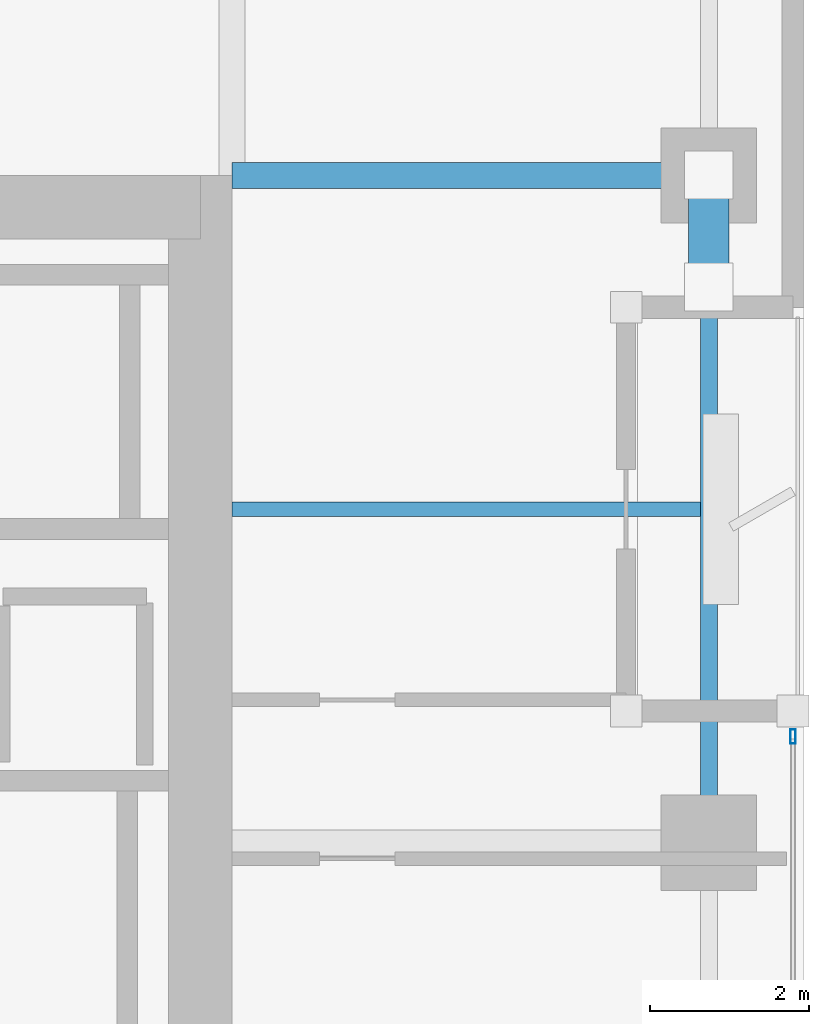
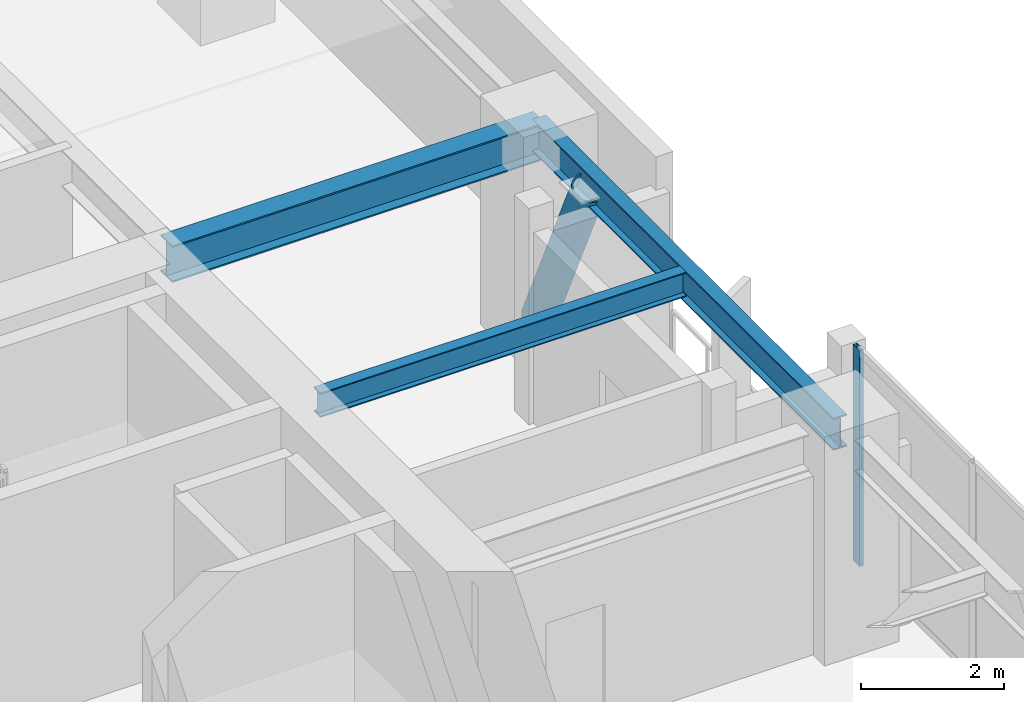
# One storey, part 11 of 30: 3 beams, 2 members, 1 element without a shape of its own.
"""IFC4 building model written with IfcOpenShell, lengths in metres."""

from ifc_helpers import new_model, si_unit, direction, frame, origin, origin_2d, place, context, subcontext, project, spatial, hollow_rectangle, hollow_circle, i_section, extrude, material, layer, layer_set, material_profile, profile_set, type_object, element, aggregate, save


model = new_model("IFC4")

# Units and contexts
model_context = context("Model", 3, precision=1e-05, world=origin(), true_north=direction((0.0, 1.0)))
body_context = subcontext(model_context, "Body", "Model", "MODEL_VIEW")
ifc_project = project(units=[si_unit("LENGTHUNIT", "METRE"), si_unit("AREAUNIT", "SQUARE_METRE"), si_unit("VOLUMEUNIT", "CUBIC_METRE"), si_unit("PLANEANGLEUNIT", "RADIAN"), si_unit("MASSUNIT", "GRAM", prefix="KILO")], contexts=[model_context])

# Site, building, storey
site_placement = place(None, origin())
site = spatial("IfcSite", under=ifc_project, at=site_placement, CompositionType="ELEMENT")
building_placement = place(site_placement, origin())
building = spatial("IfcBuilding", under=site, at=building_placement, Name="Kiyonajd Concourse Tower", CompositionType="ELEMENT")
storey_placement = place(building_placement, frame((0.0, 0.0, 162.300048828125)))
storey = spatial("IfcBuildingStorey", under=building, at=storey_placement, Name="L41", CompositionType="ELEMENT", Elevation=162.300048828125)

# Beams
ifc_material_1 = material(Name="Steel ASTM A992 Grade 50", Category="steel")
ifc_material_profile_1 = material_profile(ifc_material_1, i_section(OverallWidth=0.180908203125, OverallDepth=0.4169921875, WebThickness=0.010986328125, FlangeThickness=0.018310546875, at=origin_2d()), Name="W410X85")
ifc_profile_set_1 = profile_set([ifc_material_profile_1], Name="Steel ASTM A992 Grade 50")
beam_type_1 = type_object("IfcBeamType", Name="BM-JST-410", PredefinedType="JOIST", material=ifc_profile_set_1)
beam_1_placement = place(storey_placement, frame((63.60009765625, 40.199951171875, 3.471435546875), z_axis=(1.0, 0.0, 0.0), x_axis=(0.0, 1.0, 0.0)))
element("IfcBeam", 1, at=beam_1_placement, inside=storey, type_object=beam_type_1, Name="L41 East Secondary Floor Joist", PredefinedType="JOIST", context=body_context, shape_type="SweptSolid", body=[
    extrude(i_section(OverallWidth=0.180908203125, OverallDepth=0.4169921875, WebThickness=0.010986328125, FlangeThickness=0.018310546875, at=origin_2d()), origin(), (0.0, 0.0, 1.0), 5.892822265625),
])
ifc_material_profile_2 = material_profile(ifc_material_1, i_section(OverallWidth=0.214111328125, OverallDepth=0.549072265625, WebThickness=0.0146484375, FlangeThickness=0.023681640625, at=origin_2d()), Name="W530X138")
ifc_profile_set_2 = profile_set([ifc_material_profile_2], Name="Steel ASTM A992 Grade 50")
beam_type_2 = type_object("IfcBeamType", Name="BM-SPAN-530A", PredefinedType="SPANDREL", material=ifc_profile_set_2)
beam_2_placement = place(storey_placement, frame((69.60009765625, 36.0, 3.405517578125), z_axis=(0.0, 1.0, 0.0), x_axis=(-1.0, 0.0, 0.0)))
element("IfcBeam", 2, at=beam_2_placement, inside=storey, type_object=beam_type_2, Name="L41 Perimeter Bundled Tube Spandrel", PredefinedType="SPANDREL", context=body_context, shape_type="SweptSolid", body=[
    extrude(i_section(OverallWidth=0.214111328125, OverallDepth=0.549072265625, WebThickness=0.0146484375, FlangeThickness=0.023681640625, at=origin_2d()), origin(), (0.0, 0.0, 1.0), 8.39990234375),
])
ifc_material_profile_3 = material_profile(ifc_material_1, i_section(OverallWidth=0.326904296875, OverallDepth=0.6220703125, WebThickness=0.015380859375, FlangeThickness=0.0244140625, at=origin_2d()), Name="W610X195")
ifc_profile_set_3 = profile_set([ifc_material_profile_3], Name="Steel ASTM A992 Grade 50")
beam_type_3 = type_object("IfcBeamType", Name="BM-TWR-610A", PredefinedType="BEAM", material=ifc_profile_set_3)
beam_3_placement = place(storey_placement, frame((63.60009765625, 44.39990234375, 3.368896484375), z_axis=(1.0, 0.0, 0.0), x_axis=(0.0, 1.0, 0.0)))
element("IfcBeam", 3, at=beam_3_placement, inside=storey, type_object=beam_type_3, Name="L41 East Lease Girder", PredefinedType="BEAM", context=body_context, shape_type="SweptSolid", body=[
    extrude(i_section(OverallWidth=0.326904296875, OverallDepth=0.6220703125, WebThickness=0.015380859375, FlangeThickness=0.0244140625, at=origin_2d()), origin(), (0.0, 0.0, 1.0), 6.0),
])

# Curtain wall, member
ifc_material_2 = material(Name="Thermally Broken Anodised Aluminium", Category="aluminium")
ifc_layer = layer(ifc_material_2, 0.179931640625)
ifc_layer_set = layer_set([ifc_layer], Name="Thermally Broken Anodised Aluminium")
curtain_wall_type = type_object("IfcCurtainWallType", Name="CW-SYS-03", PredefinedType="NOTDEFINED", material=ifc_layer_set)
curtain_wall_placement = place(storey_placement, origin())
curtain_wall = element("IfcCurtainWall", 4, at=curtain_wall_placement, inside=storey, type_object=curtain_wall_type, Name="L41 Unitised Curtain Wall CW3", PredefinedType="NOTDEFINED")
ifc_material_profile_4 = material_profile(ifc_material_2, hollow_rectangle(XDim=0.06494140625, YDim=0.179931640625, WallThickness=0.00390625, at=origin_2d()), Name="MULL-65x180")
ifc_profile_set_4 = profile_set([ifc_material_profile_4], Name="Thermally Broken Anodised Aluminium")
member_type_1 = type_object("IfcMemberType", Name="MB-CW-MULL1", PredefinedType="MULLION", material=ifc_profile_set_4)
member_1_placement = place(storey_placement, frame((70.659912109375, 37.33740234375, 0.0), z_axis=(0.0, 0.0, 1.0), x_axis=(1.0, 0.0, 0.0)))
member_1 = element("IfcMember", 5, at=member_1_placement, type_object=member_type_1, Name="CW3 mullion 1", PredefinedType="MULLION", context=body_context, shape_type="SweptSolid", body=[
    extrude(hollow_rectangle(XDim=0.06494140625, YDim=0.179931640625, WallThickness=0.00390625, at=origin_2d()), origin(), (0.0, 0.0, 1.0), 3.679931640625),
])
aggregate(curtain_wall, [member_1])

# Member
ifc_material_3 = material(Name="Steel ASTM A500 Grade C", Category="steel")
ifc_material_profile_5 = material_profile(ifc_material_3, hollow_circle(Radius=0.25390625, WallThickness=0.02197265625, at=origin_2d()), Name="CHS-508x22")
ifc_profile_set_5 = profile_set([ifc_material_profile_5], Name="Steel ASTM A500 Grade C")
member_type_2 = type_object("IfcMemberType", Name="MB-PB-MID", PredefinedType="BRACE", material=ifc_profile_set_5)
member_2_placement = place(storey_placement, frame((69.60009765625, 44.39990234375, 0.300048828125), z_axis=(0.0, -0.419438517439, 0.907783746323), x_axis=(1.0, 0.0, 0.0)))
element("IfcMember", 6, at=member_2_placement, inside=storey, type_object=member_type_2, Name="L41 Upper Zone Hollow Tube Brace PBE", PredefinedType="BRACE", context=body_context, shape_type="SweptSolid", body=[
    extrude(hollow_circle(Radius=0.25390625, WallThickness=0.02197265625, at=origin_2d()), origin(), (0.0, 0.0, 1.0), 3.337646484375),
])

save(model, "model.ifc")
